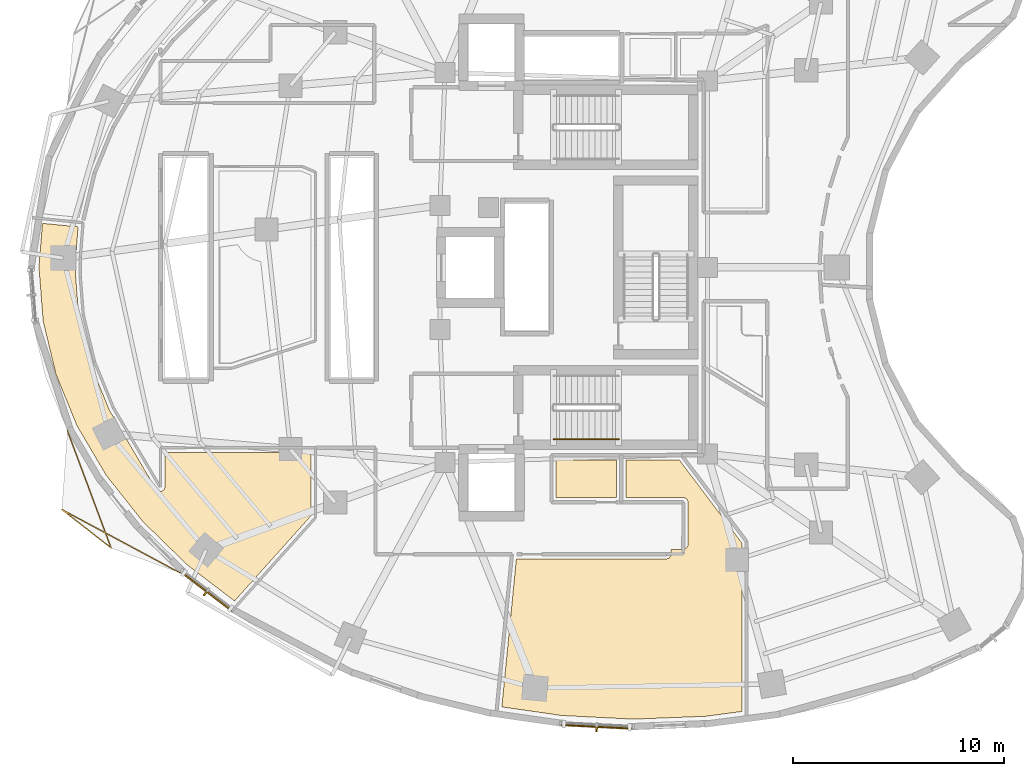
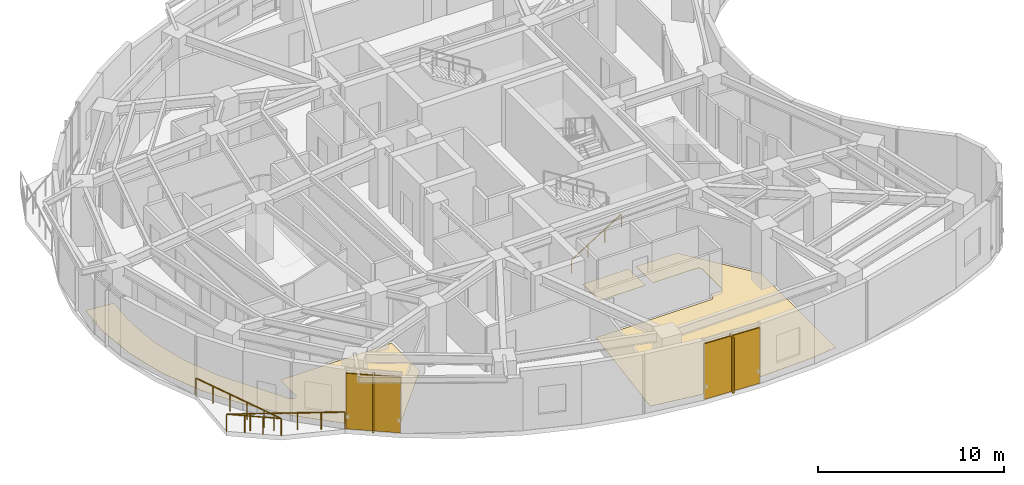
# One storey, part 13 of 15: 4 shading devices, 3 coverings, 2 railings.
"""IFC4 building model written with IfcOpenShell, lengths in metres."""

from ifc_helpers import new_model, si_unit, direction, frame, origin, origin_2d, place, context, subcontext, project, spatial, polyline, rectangle, outline, extrude, material, layer, layer_set, type_object, element, save


model = new_model("IFC4")

# Units and contexts
model_context = context("Model", 3, precision=1e-05, world=origin(), true_north=direction((0.0, 1.0)))
body_context = subcontext(model_context, "Body", "Model", "MODEL_VIEW")
ifc_project = project(units=[si_unit("LENGTHUNIT", "METRE"), si_unit("AREAUNIT", "SQUARE_METRE"), si_unit("VOLUMEUNIT", "CUBIC_METRE"), si_unit("PLANEANGLEUNIT", "RADIAN"), si_unit("MASSUNIT", "GRAM", prefix="KILO")], contexts=[model_context])

# Site, building, storey
site_placement = place(None, origin())
site = spatial("IfcSite", under=ifc_project, at=site_placement, CompositionType="ELEMENT")
building_placement = place(site_placement, origin())
building = spatial("IfcBuilding", under=site, at=building_placement, Name="Korentha Bioscience Tower", CompositionType="ELEMENT")
storey_placement = place(building_placement, frame((0.0, 0.0, 98.39990234375)))
storey = spatial("IfcBuildingStorey", under=building, at=storey_placement, Name="L22", CompositionType="ELEMENT", Elevation=98.39990234375)

# Railings
ifc_material_1 = material(Name="Stainless Steel 304", Category="steel")
railing_type_1 = type_object("IfcRailingType", Name="Brushed Stainless Stair Handrail 900", PredefinedType="HANDRAIL", material=ifc_material_1)
railing_1_placement = place(storey_placement, frame((30.25, 18.85009765625, 0.175048828125)))
element("IfcRailing", 1, at=railing_1_placement, inside=storey, type_object=railing_type_1, Name="L22 ST-2 stair handrail 1", PredefinedType="HANDRAIL", context=body_context, shape_type="SweptSolid", body=[
    extrude(rectangle(XDim=0.048095703125, YDim=0.048095703125, at=origin_2d()), frame((0.0, 0.0, 0.8759765625), z_axis=(0.847998304005, 0.0, 0.529998940003), x_axis=(0.0, 1.0, 0.0)), (0.0, 0.0, 1.0), 3.632080078125),
    extrude(rectangle(XDim=0.0419921875, YDim=0.0419921875, at=origin_2d()), origin(), (0.0, 0.0, 1.0), 0.851806640625),
    extrude(rectangle(XDim=0.0419921875, YDim=0.0419921875, at=origin_2d()), frame((1.026611328125, 0.0, 0.6416015625)), (0.0, 0.0, 1.0), 0.851806640625),
    extrude(rectangle(XDim=0.0419921875, YDim=0.0419921875, at=origin_2d()), frame((2.053466796875, 0.0, 1.283447265625)), (0.0, 0.0, 1.0), 0.851806640625),
    extrude(rectangle(XDim=0.0419921875, YDim=0.0419921875, at=origin_2d()), frame((3.080078125, 0.0, 1.925048828125)), (0.0, 0.0, 1.0), 0.851806640625),
])
ifc_material_2 = material(Name="Laminated Tempered Safety Glass", Category="glass")
railing_type_2 = type_object("IfcRailingType", Name="Laminated Glass Balcony Guardrail 1150", PredefinedType="BALUSTRADE", material=ifc_material_2)
railing_2_placement = place(storey_placement, frame((7.17626953125, 19.25390625, 0.0)))
element("IfcRailing", 2, at=railing_2_placement, inside=storey, type_object=railing_type_2, Name="L22 Balcony Guardrail 03", PredefinedType="BALUSTRADE", context=body_context, shape_type="SweptSolid", body=[
    extrude(rectangle(XDim=0.048095703125, YDim=0.048095703125, at=origin_2d()), frame((0.0, 0.0, 1.1259765625), z_axis=(0.349155006041, -0.937064982675, 0.0), x_axis=(0.937064982675, 0.349155006041, 0.0)), (0.0, 0.0, 1.0), 5.942138671875),
    extrude(rectangle(XDim=0.048095703125, YDim=0.048095703125, at=origin_2d()), frame((2.07470703125, -5.568115234375, 1.1259765625), z_axis=(-0.78833232716, 0.615249658231, 0.0), x_axis=(-0.615249658231, -0.78833232716, 0.0)), (0.0, 0.0, 1.0), 2.9677734375),
    extrude(rectangle(XDim=0.048095703125, YDim=0.048095703125, at=origin_2d()), frame((-0.264892578125, -3.7421875, 1.1259765625), z_axis=(0.881422384885, -0.472328889042, 0.0), x_axis=(0.472328889042, 0.881422384885, 0.0)), (0.0, 0.0, 1.0), 6.366455078125),
    extrude(rectangle(XDim=0.0419921875, YDim=0.0419921875, at=origin_2d()), origin(), (0.0, 0.0, 1.0), 1.101806640625),
    extrude(rectangle(XDim=0.0419921875, YDim=0.0419921875, at=origin_2d()), frame((0.4150390625, -1.113525390625, 0.0)), (0.0, 0.0, 1.0), 1.101806640625),
    extrude(rectangle(XDim=0.0419921875, YDim=0.0419921875, at=origin_2d()), frame((0.829833984375, -2.227294921875, 0.0)), (0.0, 0.0, 1.0), 1.101806640625),
    extrude(rectangle(XDim=0.0419921875, YDim=0.0419921875, at=origin_2d()), frame((1.244873046875, -3.3408203125, 0.0)), (0.0, 0.0, 1.0), 1.101806640625),
    extrude(rectangle(XDim=0.0419921875, YDim=0.0419921875, at=origin_2d()), frame((1.65966796875, -4.45458984375, 0.0)), (0.0, 0.0, 1.0), 1.101806640625),
    extrude(rectangle(XDim=0.0419921875, YDim=0.0419921875, at=origin_2d()), frame((2.07470703125, -5.568115234375, 0.0)), (0.0, 0.0, 1.0), 1.101806640625),
    extrude(rectangle(XDim=0.0419921875, YDim=0.0419921875, at=origin_2d()), frame((1.294921875, -4.95947265625, 0.0)), (0.0, 0.0, 1.0), 1.101806640625),
    extrude(rectangle(XDim=0.0419921875, YDim=0.0419921875, at=origin_2d()), frame((0.514892578125, -4.350830078125, 0.0)), (0.0, 0.0, 1.0), 1.101806640625),
    extrude(rectangle(XDim=0.0419921875, YDim=0.0419921875, at=origin_2d()), frame((-0.264892578125, -3.7421875, 0.0)), (0.0, 0.0, 1.0), 1.101806640625),
    extrude(rectangle(XDim=0.0419921875, YDim=0.0419921875, at=origin_2d()), frame((0.857421875, -4.343505859375, 0.0)), (0.0, 0.0, 1.0), 1.101806640625),
    extrude(rectangle(XDim=0.0419921875, YDim=0.0419921875, at=origin_2d()), frame((1.979736328125, -4.945068359375, 0.0)), (0.0, 0.0, 1.0), 1.101806640625),
    extrude(rectangle(XDim=0.0419921875, YDim=0.0419921875, at=origin_2d()), frame((3.10205078125, -5.54638671875, 0.0)), (0.0, 0.0, 1.0), 1.101806640625),
    extrude(rectangle(XDim=0.0419921875, YDim=0.0419921875, at=origin_2d()), frame((4.224365234375, -6.14794921875, 0.0)), (0.0, 0.0, 1.0), 1.101806640625),
    extrude(rectangle(XDim=0.0419921875, YDim=0.0419921875, at=origin_2d()), frame((5.3466796875, -6.749267578125, 0.0)), (0.0, 0.0, 1.0), 1.101806640625),
])

# Shading devices
ifc_material_3 = material(Name="Perforated Stone-Ceramic Composite", Category="masonry")
ifc_layer_1 = layer(ifc_material_3, 0.06494140625, Name="Perforated Stone-Ceramic Composite")
ifc_layer_set_1 = layer_set([ifc_layer_1], Name="Perforated Stone-Ceramic Composite (CS-01)")
shading_device_type_1 = type_object("IfcShadingDeviceType", Name="Perforated Stone-Ceramic Solar Screen Panel 65", PredefinedType="USERDEFINED", material=ifc_layer_set_1)
shading_device_1_placement = place(storey_placement, frame((13.7841796875, 11.616455078125, 0.000244140625), z_axis=(0.0, 0.0, 1.0), x_axis=(0.794499603893, -0.607264669986, 0.0)))
element("IfcShadingDevice", 3, at=shading_device_1_placement, inside=storey, type_object=shading_device_type_1, Name="CW-L22-25 Perforated Stone-Ceramic Solar Screen", ObjectType="SCREEN", PredefinedType="USERDEFINED", context=body_context, shape_type="SweptSolid", body=[
    extrude(rectangle(XDim=2.98291015625, YDim=0.06494140625, at=origin_2d()), origin(), (0.0, 0.0, 1.0), 3.64990234375),
])
shading_device_2_placement = place(storey_placement, frame((32.2958984375, 5.201904296875, 0.000244140625), z_axis=(0.0, 0.0, 1.0), x_axis=(0.998673231344, -0.051495407527, 0.0)))
element("IfcShadingDevice", 4, at=shading_device_2_placement, inside=storey, type_object=shading_device_type_1, Name="CW-L22-31 Perforated Stone-Ceramic Solar Screen", ObjectType="SCREEN", PredefinedType="USERDEFINED", context=body_context, shape_type="SweptSolid", body=[
    extrude(rectangle(XDim=3.373779296875, YDim=0.06494140625, at=origin_2d()), origin(), (0.0, 0.0, 1.0), 3.64990234375),
])

# Coverings
ifc_material_4 = material(Name="Chemical-Resistant Epoxy Resin", Category="polymer")
ifc_layer_2 = layer(ifc_material_4, 0.011962890625, Name="Chemical-Resistant Epoxy Resin")
ifc_layer_set_2 = layer_set([ifc_layer_2], Name="Chemical-Resistant Epoxy Resin (FL-EPX)")
covering_type = type_object("IfcCoveringType", Name="Seamless Epoxy Laboratory Flooring 12", PredefinedType="FLOORING", material=ifc_layer_set_2)
covering_1_placement = place(storey_placement, origin())
element("IfcCovering", 5, at=covering_1_placement, inside=storey, type_object=covering_type, Name="L22 Core Instrumentation and Gas Store Floor Finish", PredefinedType="FLOORING", context=body_context, shape_type="SweptSolid", body=[
    extrude(outline(polyline([(30.3701171875, 16.080078125), (30.3701171875, 17.8701171875), (33.22998046875, 17.8701171875), (33.22998046875, 16.080078125), (30.3701171875, 16.080078125)])), origin(), (0.0, 0.0, 1.0), 0.01220703125),
])
covering_2_placement = place(storey_placement, origin())
element("IfcCovering", 6, at=covering_2_placement, inside=storey, type_object=covering_type, Name="L22 Principal Investigator Office 01 Floor Finish", PredefinedType="FLOORING", context=body_context, shape_type="SweptSolid", body=[
    extrude(outline(polyline([(5.99169921875, 29.09228515625), (7.683837890625, 28.926513671875), (7.5703125, 27.492431640625), (7.570068359375, 26.51708984375), (7.710693359375, 24.7333984375), (8.254150390625, 22.46142578125), (9.162109375, 20.23828125), (11.3818359375, 16.47509765625), (11.431396484375, 16.416259765625), (11.531005859375, 16.3671875), (11.6611328125, 16.376708984375), (11.75244140625, 16.43994140625), (11.803466796875, 16.53759765625), (11.81005859375, 18.219970703125), (18.72802734375, 18.219970703125), (18.72802734375, 15.206787109375), (15.107421875, 11.17138671875), (12.857177734375, 12.89111328125), (10.76708984375, 14.928466796875), (9.01806640625, 17.135986328125), (7.63427734375, 19.48095703125), (6.63330078125, 21.9296875), (6.028076171875, 24.44775390625), (5.82568359375, 27.0), (5.99169921875, 29.09228515625)])), origin(), (0.0, 0.0, 1.0), 0.01220703125),
])
covering_3_placement = place(storey_placement, origin())
element("IfcCovering", 7, at=covering_3_placement, inside=storey, type_object=covering_type, Name="L22 Staff Pantry Kitchenette 03 Floor Finish", PredefinedType="FLOORING", context=body_context, shape_type="SweptSolid", body=[
    extrude(outline(polyline([(28.480712890625, 13.169921875), (35.61181640625, 13.17041015625), (35.71875, 13.202880859375), (35.8076171875, 13.30126953125), (35.82958984375, 13.38818359375), (35.830078125, 13.6201171875), (36.410888671875, 13.620361328125), (36.518798828125, 13.653076171875), (36.597412109375, 13.732177734375), (36.6298828125, 13.85009765625), (36.629638671875, 15.86083984375), (36.608154296875, 15.947998046875), (36.55419921875, 16.020751953125), (36.477783203125, 16.06640625), (36.39990234375, 16.080078125), (33.679931640625, 16.080078125), (33.679931640625, 17.8701171875), (36.209716796875, 17.8701171875), (39.177978515625, 13.930908203125), (39.177978515625, 5.927001953125), (37.456298828125, 5.699462890625), (34.030517578125, 5.563232421875), (30.60791015625, 5.739501953125), (27.7919921875, 6.146240234375), (28.480712890625, 13.169921875)])), origin(), (0.0, 0.0, 1.0), 0.01220703125),
])

# Shading devices
ifc_material_5 = material(Name="Honed Travertine Limestone", Category="masonry")
ifc_layer_3 = layer(ifc_material_5, 0.080078125, Name="Honed Travertine Limestone")
ifc_layer_set_3 = layer_set([ifc_layer_3], Name="Honed Travertine Limestone (CS-02)")
shading_device_type_2 = type_object("IfcShadingDeviceType", Name="Vertical Honed Limestone Sunshade Fin 80x420", PredefinedType="USERDEFINED", material=ifc_layer_set_3)
for number, where, z_axis, x_axis, name in (
    (8, (13.77197265625, 11.600341796875, 0.000244140625), (0.0, 0.0, 1.0), (0.794499603893, -0.607264669986, 0.0), "CW-L22-25 Limestone Sunshade Fin"),
    (9, (32.294921875, 5.18212890625, 0.000244140625), (0.0, 0.0, 1.0), (0.998673231344, -0.051495407527, 0.0), "CW-L22-31 Limestone Sunshade Fin"),
):
    element("IfcShadingDevice", number, at=place(storey_placement, frame(where, z_axis=z_axis, x_axis=x_axis)), inside=storey, type_object=shading_device_type_2, Name=name, ObjectType="SCREEN", PredefinedType="USERDEFINED", context=body_context, shape_type="SweptSolid", body=[
        extrude(rectangle(XDim=0.080078125, YDim=0.419921875, at=origin_2d()), origin(), (0.0, 0.0, 1.0), 3.64990234375),
    ])

save(model, "model.ifc")
